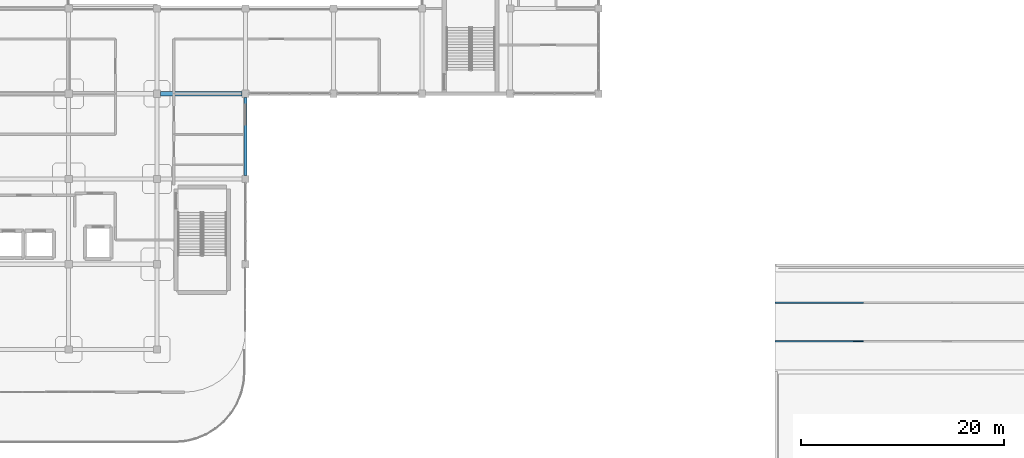
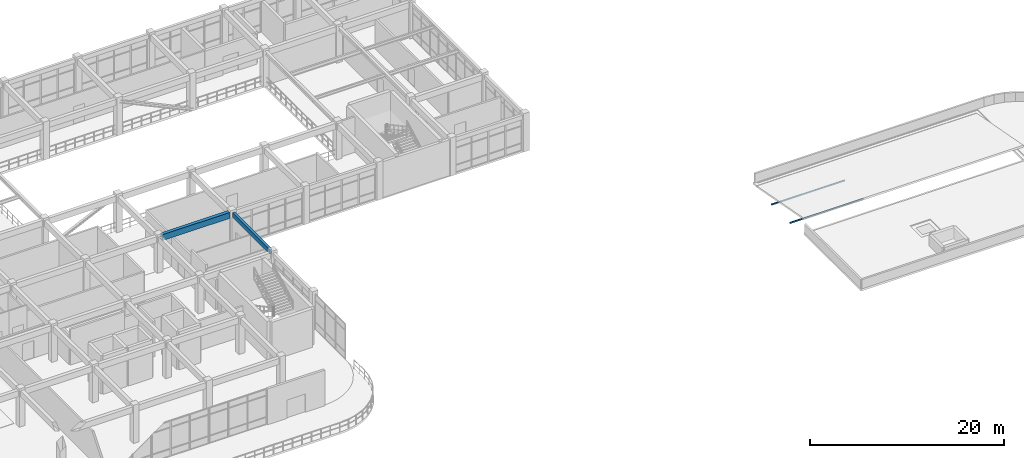
# One storey, part 23 of 76: 2 beams, 2 members.
"""IFC4 building model written with IfcOpenShell, lengths in metres."""

from ifc_helpers import new_model, si_unit, derived_unit, direction, frame, origin, origin_2d, place, context, subcontext, project, spatial, rectangle, hollow_rectangle, extrude, material, material_profile, profile_set, type_object, element, save


model = new_model("IFC4")

# Units and contexts
model_context = context("Model", 3, precision=1e-05, world=origin(), true_north=direction((0.0, 1.0)))
body_context = subcontext(model_context, "Body", "Model", "MODEL_VIEW")
ifc_project = project(units=[si_unit("LENGTHUNIT", "METRE"), si_unit("AREAUNIT", "SQUARE_METRE"), si_unit("VOLUMEUNIT", "CUBIC_METRE"), si_unit("PLANEANGLEUNIT", "RADIAN"), si_unit("MASSUNIT", "GRAM", prefix="KILO"), derived_unit("THERMALTRANSMITTANCEUNIT", [(si_unit("MASSUNIT", "GRAM", prefix="KILO"), 1), (si_unit("TIMEUNIT", "SECOND"), -3), (si_unit("THERMODYNAMICTEMPERATUREUNIT", "KELVIN"), -1)])], contexts=[model_context])

# Site, building, storey
site_placement = place(None, origin())
site = spatial("IfcSite", under=ifc_project, at=site_placement, CompositionType="ELEMENT")
building_placement = place(site_placement, origin())
building = spatial("IfcBuilding", under=site, at=building_placement, Name="Qinzheling Arcade Emporium", CompositionType="ELEMENT")
storey_placement = place(building_placement, frame((0.0, 0.0, 26.699951171875)))
storey = spatial("IfcBuildingStorey", under=building, at=storey_placement, Name="L06", CompositionType="ELEMENT", Elevation=26.699951171875)

# Beams
ifc_material_1 = material(Name="Concrete C40", Category="concrete")
ifc_material_profile_1 = material_profile(ifc_material_1, rectangle(XDim=0.39990234375, YDim=0.75, at=origin_2d()), Name="RC 400x750", Category="concrete")
ifc_profile_set_1 = profile_set([ifc_material_profile_1], Name="Concrete C40")
beam_type_1 = type_object("IfcBeamType", Name="RC Interior Tie Beam 400x750 C40", PredefinedType="BEAM", material=ifc_profile_set_1)
beam_1_placement = place(storey_placement, frame((61.25, 42.0, 4.14501953125), z_axis=(1.0, 0.0, 0.0), x_axis=(0.0, 1.0, 0.0)))
element("IfcBeam", 1, at=beam_1_placement, inside=storey, type_object=beam_type_1, Name="Beam BM-L06-X-F-8", PredefinedType="BEAM", context=body_context, shape_type="SweptSolid", body=[
    extrude(rectangle(XDim=0.39990234375, YDim=0.75, at=origin_2d()), origin(), (0.0, 0.0, 1.0), 8.0),
])
ifc_material_profile_2 = material_profile(ifc_material_1, rectangle(XDim=0.300048828125, YDim=0.550048828125, at=origin_2d()), Name="RC 300x550", Category="concrete")
ifc_profile_set_2 = profile_set([ifc_material_profile_2], Name="Concrete C40")
beam_type_2 = type_object("IfcBeamType", Name="RC Terrace Spandrel Beam 300x550 C40", PredefinedType="SPANDREL", material=ifc_profile_set_2)
beam_2_placement = place(storey_placement, frame((69.60009765625, 33.949951171875, 4.2451171875), z_axis=(0.0, 1.0, 0.0), x_axis=(-1.0, 0.0, 0.0)))
element("IfcBeam", 2, at=beam_2_placement, inside=storey, type_object=beam_type_2, Name="Beam BM-L06-Y-9-E", PredefinedType="SPANDREL", context=body_context, shape_type="SweptSolid", body=[
    extrude(rectangle(XDim=0.300048828125, YDim=0.550048828125, at=origin_2d()), origin(), (0.0, 0.0, 1.0), 7.699951171875),
])

# Members
ifc_material_2 = material(Name="Structural steel Q355B", Category="steel")
ifc_material_profile_3 = material_profile(ifc_material_2, hollow_rectangle(XDim=0.10009765625, YDim=0.179931640625, WallThickness=0.008056640625, InnerFilletRadius=0.008056640625, OuterFilletRadius=0.01611328125, at=origin_2d()), Name="RHS 180x100x8", Category="steel")
ifc_profile_set_3 = profile_set([ifc_material_profile_3], Name="Structural steel Q355B")
member_type = type_object("IfcMemberType", Name="Storm Eave Purlin RHS180 Q355B", PredefinedType="PURLIN", material=ifc_profile_set_3)
for number, where, z_axis, x_axis, name in (
    (3, (121.800048828125, 17.60009765625, -0.52001953125), (1.0, 0.0, 0.0), (0.0, 1.0, 0.0), "Storm Eave Purlin EAVE-PUR-V4-1-1"),
    (4, (121.800048828125, 21.39990234375, -0.52001953125), (1.0, 0.0, 0.0), (0.0, 1.0, 0.0), "Storm Eave Purlin EAVE-PUR-V4-2-1"),
):
    element("IfcMember", number, at=place(storey_placement, frame(where, z_axis=z_axis, x_axis=x_axis)), inside=storey, type_object=member_type, Name=name, PredefinedType="PURLIN", context=body_context, shape_type="SweptSolid", body=[
        extrude(hollow_rectangle(XDim=0.10009765625, YDim=0.179931640625, WallThickness=0.008056640625, InnerFilletRadius=0.008056640625, OuterFilletRadius=0.01611328125, at=origin_2d()), origin(), (0.0, 0.0, 1.0), 8.699951171875),
    ])

save(model, "model.ifc")
